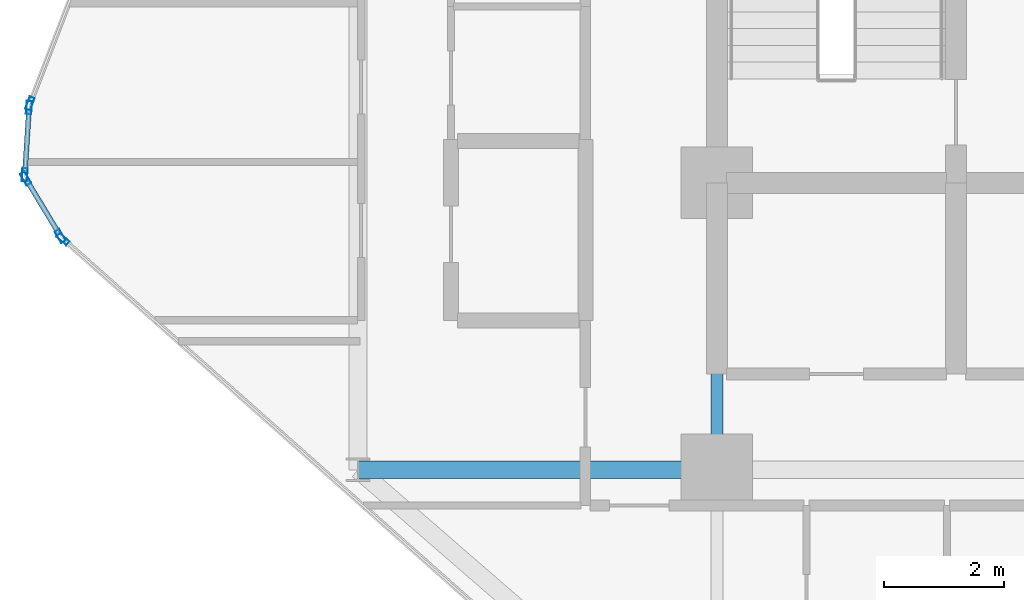
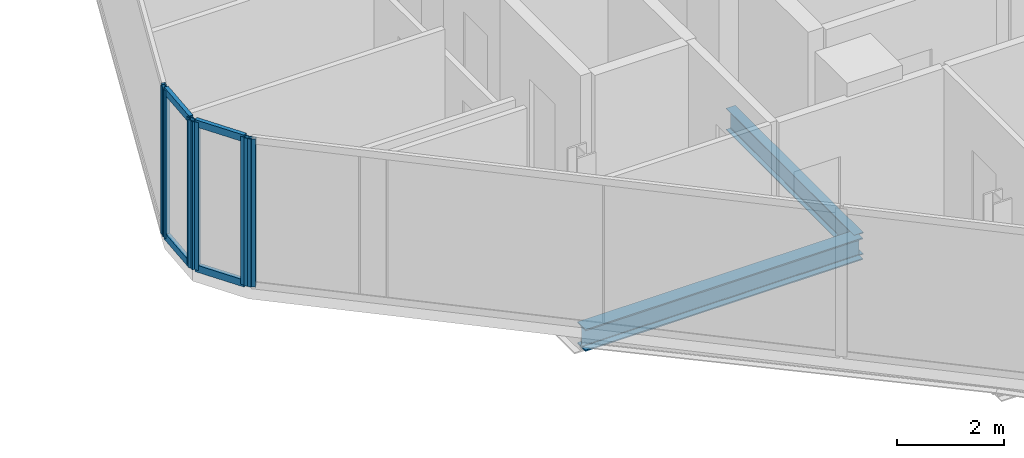
# One storey, part 6 of 33: 10 members, 2 beams, 4 elements without a shape of their own.
"""IFC4 building model written with IfcOpenShell, lengths in metres."""

from ifc_helpers import new_model, si_unit, direction, frame, origin, origin_2d, place, context, subcontext, project, spatial, hollow_rectangle, i_section, extrude, material, layer, layer_set, material_profile, profile_set, type_object, element, aggregate, save


model = new_model("IFC4")

# Units and contexts
model_context = context("Model", 3, precision=1e-05, world=origin(), true_north=direction((0.0, 1.0)))
body_context = subcontext(model_context, "Body", "Model", "MODEL_VIEW")
ifc_project = project(units=[si_unit("LENGTHUNIT", "METRE"), si_unit("AREAUNIT", "SQUARE_METRE"), si_unit("VOLUMEUNIT", "CUBIC_METRE"), si_unit("PLANEANGLEUNIT", "RADIAN"), si_unit("MASSUNIT", "GRAM", prefix="KILO")], contexts=[model_context])

# Site, building, storey
site_placement = place(None, origin())
site = spatial("IfcSite", under=ifc_project, at=site_placement, CompositionType="ELEMENT")
building_placement = place(site_placement, origin())
building = spatial("IfcBuilding", under=site, at=building_placement, Name="Keshet Zoharim Tower", CompositionType="ELEMENT")
storey_placement = place(building_placement, frame((0.0, 0.0, 73.800048828125)))
storey = spatial("IfcBuildingStorey", under=building, at=storey_placement, Name="L17", CompositionType="ELEMENT", Elevation=73.800048828125)

# Beams
ifc_material_1 = material(Name="Steel S355", Category="steel")
ifc_material_profile_1 = material_profile(ifc_material_1, i_section(OverallWidth=0.199951171875, OverallDepth=0.5, WebThickness=0.01025390625, FlangeThickness=0.01611328125, FilletRadius=0.02099609375, at=origin_2d()), Name="IPE500")
ifc_profile_set_1 = profile_set([ifc_material_profile_1], Name="Steel S355")
beam_type_1 = type_object("IfcBeamType", Name="BM-PRI-IP500", PredefinedType="BEAM", material=ifc_profile_set_1)
beam_1_placement = place(storey_placement, frame((15.0, 17.89990234375, -0.56494140625), z_axis=(0.0, 1.0, 0.0), x_axis=(-1.0, 0.0, 0.0)))
element("IfcBeam", 1, at=beam_1_placement, inside=storey, type_object=beam_type_1, Name="L17 Primary Girder Y-003", PredefinedType="BEAM", context=body_context, shape_type="SweptSolid", body=[
    extrude(i_section(OverallWidth=0.199951171875, OverallDepth=0.5, WebThickness=0.01025390625, FlangeThickness=0.01611328125, FilletRadius=0.02099609375, at=origin_2d()), origin(), (0.0, 0.0, 1.0), 4.800048828125),
])
ifc_material_profile_2 = material_profile(ifc_material_1, i_section(OverallWidth=0.300048828125, OverallDepth=0.5, WebThickness=0.014404296875, FlangeThickness=0.028076171875, FilletRadius=0.027099609375, at=origin_2d()), Name="HEB500")
ifc_profile_set_2 = profile_set([ifc_material_profile_2], Name="Steel S355")
beam_type_2 = type_object("IfcBeamType", Name="BM-WEB-HB500", PredefinedType="BEAM", material=ifc_profile_set_2)
beam_2_placement = place(storey_placement, frame((9.0, 17.89990234375, -0.56494140625), z_axis=(1.0, 0.0, 0.0), x_axis=(0.0, 1.0, 0.0)))
element("IfcBeam", 2, at=beam_2_placement, inside=storey, type_object=beam_type_2, Name="L17 Primary Girder X-015", PredefinedType="BEAM", context=body_context, shape_type="SweptSolid", body=[
    extrude(i_section(OverallWidth=0.300048828125, OverallDepth=0.5, WebThickness=0.014404296875, FlangeThickness=0.028076171875, FilletRadius=0.027099609375, at=origin_2d()), origin(), (0.0, 0.0, 1.0), 6.0),
])

# Curtain wall, member
ifc_material_2 = material(Name="Aluminium 6063-T6", Category="aluminium")
ifc_layer = layer(ifc_material_2, 0.179931640625)
ifc_layer_set = layer_set([ifc_layer], Name="Aluminium 6063-T6")
curtain_wall_type = type_object("IfcCurtainWallType", Name="CW-SYS-01", PredefinedType="NOTDEFINED", material=ifc_layer_set)
curtain_wall_1_placement = place(storey_placement, origin())
curtain_wall_1 = element("IfcCurtainWall", 3, at=curtain_wall_1_placement, inside=storey, type_object=curtain_wall_type, Name="L17 Unitised Curtain Wall 01", PredefinedType="NOTDEFINED")
ifc_material_profile_3 = material_profile(ifc_material_2, hollow_rectangle(XDim=0.090087890625, YDim=0.219970703125, WallThickness=0.0048828125, at=origin_2d()), Name="MUL-90x220")
ifc_profile_set_3 = profile_set([ifc_material_profile_3], Name="Aluminium 6063-T6")
member_type_1 = type_object("IfcMemberType", Name="CWM-M22", PredefinedType="MULLION", material=ifc_profile_set_3)
member_1_placement = place(storey_placement, frame((4.061279296875, 21.7568359375, 0.0), z_axis=(0.0, 0.0, 1.0), x_axis=(-0.664363838836, -0.747409318679, 0.0)))
member_1 = element("IfcMember", 4, at=member_1_placement, type_object=member_type_1, Name="CW-01 mullion 3", PredefinedType="MULLION", context=body_context, shape_type="SweptSolid", body=[
    extrude(hollow_rectangle(XDim=0.090087890625, YDim=0.219970703125, WallThickness=0.0048828125, at=origin_2d()), origin(), (0.0, 0.0, 1.0), 3.385009765625),
])
aggregate(curtain_wall_1, [member_1])

# Curtain wall, members
curtain_wall_2_placement = place(storey_placement, origin())
curtain_wall_2 = element("IfcCurtainWall", 5, at=curtain_wall_2_placement, inside=storey, type_object=curtain_wall_type, Name="L17 Unitised Curtain Wall 02", PredefinedType="NOTDEFINED")
member_2_placement = place(storey_placement, frame((4.016845703125, 21.81005859375, 0.0), z_axis=(0.0, 0.0, 1.0), x_axis=(-0.856826433805, -0.515604947933, 0.0)))
member_2 = element("IfcMember", 6, at=member_2_placement, type_object=member_type_1, Name="CW-01 mullion 1", PredefinedType="MULLION", context=body_context, shape_type="SweptSolid", body=[
    extrude(hollow_rectangle(XDim=0.090087890625, YDim=0.219970703125, WallThickness=0.0048828125, at=origin_2d()), origin(), (0.0, 0.0, 1.0), 3.385009765625),
])
member_3_placement = place(storey_placement, frame((3.43798828125, 22.77197265625, 0.0), z_axis=(0.0, 0.0, 1.0), x_axis=(-0.856826433805, -0.515604947933, 0.0)))
member_3 = element("IfcMember", 7, at=member_3_placement, type_object=member_type_1, Name="CW-01 mullion 2", PredefinedType="MULLION", context=body_context, shape_type="SweptSolid", body=[
    extrude(hollow_rectangle(XDim=0.090087890625, YDim=0.219970703125, WallThickness=0.0048828125, at=origin_2d()), origin(), (0.0, 0.0, 1.0), 3.385009765625),
])

curtain_wall_3_placement = place(storey_placement, origin())
curtain_wall_3 = element("IfcCurtainWall", 8, at=curtain_wall_3_placement, inside=storey, type_object=curtain_wall_type, Name="L17 Unitised Curtain Wall 03", PredefinedType="NOTDEFINED")
member_4_placement = place(storey_placement, frame((3.42236328125, 22.8369140625, 0.0), z_axis=(0.0, 0.0, 1.0), x_axis=(-0.997916617186, 0.064516859374, 0.0)))
member_4 = element("IfcMember", 9, at=member_4_placement, type_object=member_type_1, Name="CW-01 mullion 1", PredefinedType="MULLION", context=body_context, shape_type="SweptSolid", body=[
    extrude(hollow_rectangle(XDim=0.090087890625, YDim=0.219970703125, WallThickness=0.0048828125, at=origin_2d()), origin(), (0.0, 0.0, 1.0), 3.385009765625),
])
member_5_placement = place(storey_placement, frame((3.49462890625, 23.9580078125, 0.0), z_axis=(0.0, 0.0, 1.0), x_axis=(-0.997916617186, 0.064516859374, 0.0)))
member_5 = element("IfcMember", 10, at=member_5_placement, type_object=member_type_1, Name="CW-01 mullion 2", PredefinedType="MULLION", context=body_context, shape_type="SweptSolid", body=[
    extrude(hollow_rectangle(XDim=0.090087890625, YDim=0.219970703125, WallThickness=0.0048828125, at=origin_2d()), origin(), (0.0, 0.0, 1.0), 3.385009765625),
])

# Curtain wall, member
curtain_wall_4_placement = place(storey_placement, origin())
curtain_wall_4 = element("IfcCurtainWall", 11, at=curtain_wall_4_placement, inside=storey, type_object=curtain_wall_type, Name="L17 Unitised Curtain Wall 04", PredefinedType="NOTDEFINED")
member_6_placement = place(storey_placement, frame((3.509521484375, 24.025634765625, 0.0), z_axis=(0.0, 0.0, 1.0), x_axis=(-0.933341404361, 0.358990003907, 0.0)))
member_6 = element("IfcMember", 12, at=member_6_placement, type_object=member_type_1, Name="CW-01 mullion 1", PredefinedType="MULLION", context=body_context, shape_type="SweptSolid", body=[
    extrude(hollow_rectangle(XDim=0.090087890625, YDim=0.219970703125, WallThickness=0.0048828125, at=origin_2d()), origin(), (0.0, 0.0, 1.0), 3.385009765625),
])
aggregate(curtain_wall_4, [member_6])

# Member
ifc_material_profile_4 = material_profile(ifc_material_2, hollow_rectangle(XDim=0.0849609375, YDim=0.159912109375, WallThickness=0.00439453125, at=origin_2d()), Name="TRN-85x160")
ifc_profile_set_4 = profile_set([ifc_material_profile_4], Name="Aluminium 6063-T6")
member_type_2 = type_object("IfcMemberType", Name="CWT-T16", PredefinedType="USERDEFINED", material=ifc_profile_set_4)
member_7_placement = place(storey_placement, frame((3.9990234375, 21.840087890625, 0.034912109375), z_axis=(-0.515791194107, 0.856714330499, 0.0), x_axis=(-0.856714330499, -0.515791194107, 0.0)))
member_7 = element("IfcMember", 13, at=member_7_placement, type_object=member_type_2, Name="CW-01 transom 1.1", ObjectType="TRANSOM", PredefinedType="USERDEFINED", context=body_context, shape_type="SweptSolid", body=[
    extrude(hollow_rectangle(XDim=0.0849609375, YDim=0.159912109375, WallThickness=0.00439453125, at=origin_2d()), origin(), (0.0, 0.0, 1.0), 1.052734375),
])

member_8_placement = place(storey_placement, frame((3.9990234375, 21.840087890625, 3.349853515625), z_axis=(-0.515791194107, 0.856714330499, 0.0), x_axis=(-0.856714330499, -0.515791194107, 0.0)))
member_8 = element("IfcMember", 14, at=member_8_placement, type_object=member_type_2, Name="CW-01 transom 1.2", ObjectType="TRANSOM", PredefinedType="USERDEFINED", context=body_context, shape_type="SweptSolid", body=[
    extrude(hollow_rectangle(XDim=0.0849609375, YDim=0.159912109375, WallThickness=0.00439453125, at=origin_2d()), origin(), (0.0, 0.0, 1.0), 1.052734375),
])

aggregate(curtain_wall_2, [member_2, member_3, member_7, member_8])

member_9_placement = place(storey_placement, frame((3.424560546875, 22.871826171875, 0.034912109375), z_axis=(0.064426947155, 0.997922426083, 0.0), x_axis=(-0.997922426083, 0.064426947155, 0.0)))
member_9 = element("IfcMember", 15, at=member_9_placement, type_object=member_type_2, Name="CW-01 transom 1.1", ObjectType="TRANSOM", PredefinedType="USERDEFINED", context=body_context, shape_type="SweptSolid", body=[
    extrude(hollow_rectangle(XDim=0.0849609375, YDim=0.159912109375, WallThickness=0.00439453125, at=origin_2d()), origin(), (0.0, 0.0, 1.0), 1.053466796875),
])

member_10_placement = place(storey_placement, frame((3.424560546875, 22.871826171875, 3.349853515625), z_axis=(0.064426947155, 0.997922426083, 0.0), x_axis=(-0.997922426083, 0.064426947155, 0.0)))
member_10 = element("IfcMember", 16, at=member_10_placement, type_object=member_type_2, Name="CW-01 transom 1.2", ObjectType="TRANSOM", PredefinedType="USERDEFINED", context=body_context, shape_type="SweptSolid", body=[
    extrude(hollow_rectangle(XDim=0.0849609375, YDim=0.159912109375, WallThickness=0.00439453125, at=origin_2d()), origin(), (0.0, 0.0, 1.0), 1.053466796875),
])

aggregate(curtain_wall_3, [member_4, member_5, member_9, member_10])

save(model, "model.ifc")
